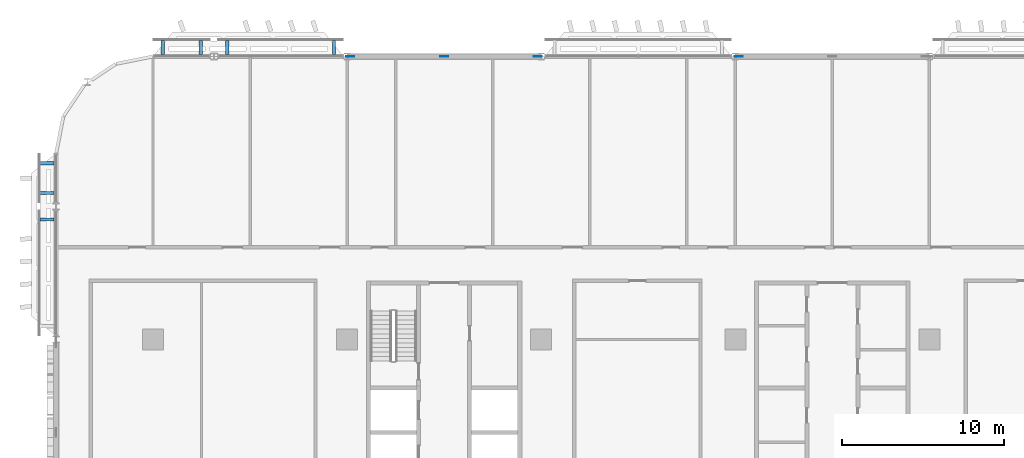
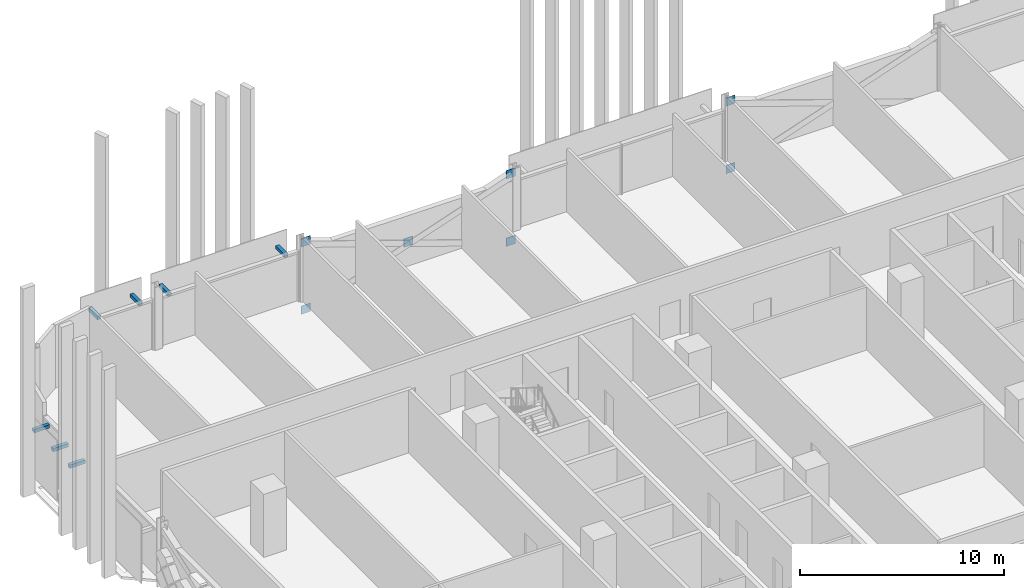
# One storey, part 20 of 33: 14 discrete accessories.
"""IFC4 building model written with IfcOpenShell, lengths in metres."""

from ifc_helpers import new_model, si_unit, direction, frame, origin, origin_2d, place, context, subcontext, project, spatial, rectangle, extrude, material, layer, layer_set, type_object, element, save


model = new_model("IFC4")

# Units and contexts
model_context = context("Model", 3, precision=1e-05, world=origin(), true_north=direction((0.0, 1.0)))
body_context = subcontext(model_context, "Body", "Model", "MODEL_VIEW")
ifc_project = project(units=[si_unit("LENGTHUNIT", "METRE"), si_unit("AREAUNIT", "SQUARE_METRE"), si_unit("VOLUMEUNIT", "CUBIC_METRE"), si_unit("PLANEANGLEUNIT", "RADIAN"), si_unit("MASSUNIT", "GRAM", prefix="KILO")], contexts=[model_context])

# Site, building, storey
site_placement = place(None, origin())
site = spatial("IfcSite", under=ifc_project, at=site_placement, CompositionType="ELEMENT")
building_placement = place(site_placement, origin())
building = spatial("IfcBuilding", under=site, at=building_placement, Name="Mahtab Terrace Research Tower", CompositionType="ELEMENT")
storey_placement = place(building_placement, frame((0.0, 0.0, 122.0)))
storey = spatial("IfcBuildingStorey", under=building, at=storey_placement, Name="L28", CompositionType="ELEMENT", Elevation=122.0)

# Discrete accessories
ifc_material_1 = material(Name="Black anodised aluminium", Category="aluminium")
discrete_accessory_type_1 = type_object("IfcDiscreteAccessoryType", Name="Facade bracket", PredefinedType="BRACKET", material=ifc_material_1)
for number, where, z_axis, x_axis, name in (
    (1, (-30.818115234375, 29.5625, 2.703125), (0.0, 0.0, 1.0), (-1.0, 0.0, 0.0), "Screen bracket Girih screen L28 N10"),
    (2, (-37.4130859375, 29.5625, 2.703125), (0.0, 0.0, 1.0), (-1.0, 0.0, 0.0), "Screen bracket Girih screen L28 N10"),
    (3, (-39.049072265625, 29.5625, 2.703125), (0.0, 0.0, 1.0), (-1.0, 0.0, 0.0), "Screen bracket Girih screen L28 N11"),
    (4, (-41.39990234375, 29.5625, 2.703125), (0.0, 0.0, 1.0), (-1.0, 0.0, 0.0), "Screen bracket Girih screen L28 N11"),
    (5, (-48.5625, 22.39990234375, 2.703125), (0.0, 0.0, 1.0), (0.0, -1.0, 0.0), "Screen bracket Girih screen L28 W16"),
    (6, (-48.5625, 20.549072265625, 2.703125), (0.0, 0.0, 1.0), (0.0, -1.0, 0.0), "Screen bracket Girih screen L28 W16"),
    (7, (-48.5625, 18.9130859375, 2.703125), (0.0, 0.0, 1.0), (0.0, -1.0, 0.0), "Screen bracket Girih screen L28 W17"),
):
    element("IfcDiscreteAccessory", number, at=place(storey_placement, frame(where, z_axis=z_axis, x_axis=x_axis)), inside=storey, type_object=discrete_accessory_type_1, Name=name, PredefinedType="BRACKET", context=body_context, shape_type="SweptSolid", body=[
        extrude(rectangle(XDim=0.199951171875, YDim=0.875, at=origin_2d()), origin(), (0.0, 0.0, 1.0), 0.199951171875),
    ])
ifc_material_2 = material(Name="Steel ASTM A992 Gr 50", Category="steel")
ifc_layer = layer(ifc_material_2, 0.030029296875)
ifc_layer_set = layer_set([ifc_layer], Name="Gusset plate 500x500x30")
discrete_accessory_type_2 = type_object("IfcDiscreteAccessoryType", Name="Gusset plate 500x500x30", PredefinedType="USERDEFINED", material=ifc_layer_set)
for number, where, z_axis, x_axis, name in (
    (8, (-29.794189453125, 29.0, -0.898193359375), (0.0, 0.0, 1.0), (1.0, 0.0, 0.0), "Gusset plate"),
    (9, (-29.794189453125, 29.0, 3.131591796875), (0.0, 0.0, 1.0), (1.0, 0.0, 0.0), "Gusset plate"),
    (10, (-24.0, 29.0, 1.08154296875), (0.0, 0.0, 1.0), (1.0, 0.0, 0.0), "Gusset plate"),
    (11, (-18.205810546875, 29.0, -0.898193359375), (0.0, 0.0, 1.0), (1.0, 0.0, 0.0), "Gusset plate"),
    (12, (-18.205810546875, 29.0, 3.131591796875), (0.0, 0.0, 1.0), (1.0, 0.0, 0.0), "Gusset plate"),
    (13, (-5.794189453125, 29.0, -0.898193359375), (0.0, 0.0, 1.0), (1.0, 0.0, 0.0), "Gusset plate"),
    (14, (-5.794189453125, 29.0, 3.131591796875), (0.0, 0.0, 1.0), (1.0, 0.0, 0.0), "Gusset plate"),
):
    element("IfcDiscreteAccessory", number, at=place(storey_placement, frame(where, z_axis=z_axis, x_axis=x_axis)), inside=storey, type_object=discrete_accessory_type_2, Name=name, ObjectType="GUSSET PLATE", PredefinedType="USERDEFINED", context=body_context, shape_type="SweptSolid", body=[
        extrude(rectangle(XDim=0.5, YDim=0.030029296875, at=origin_2d()), origin(), (0.0, 0.0, 1.0), 0.5),
    ])

save(model, "model.ifc")
